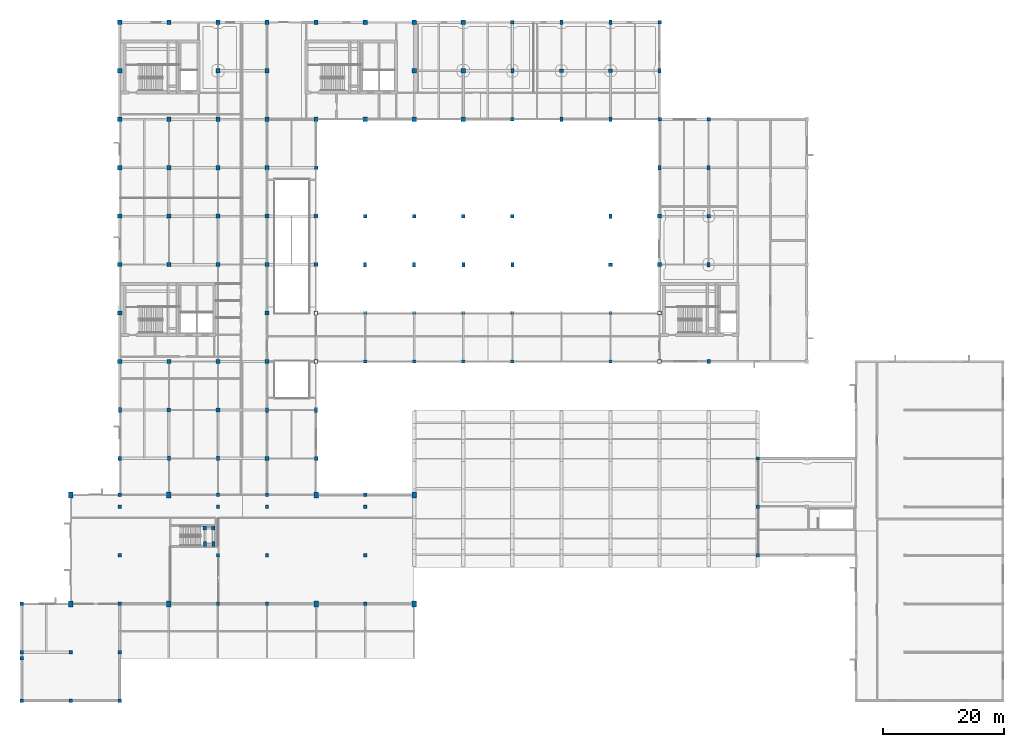
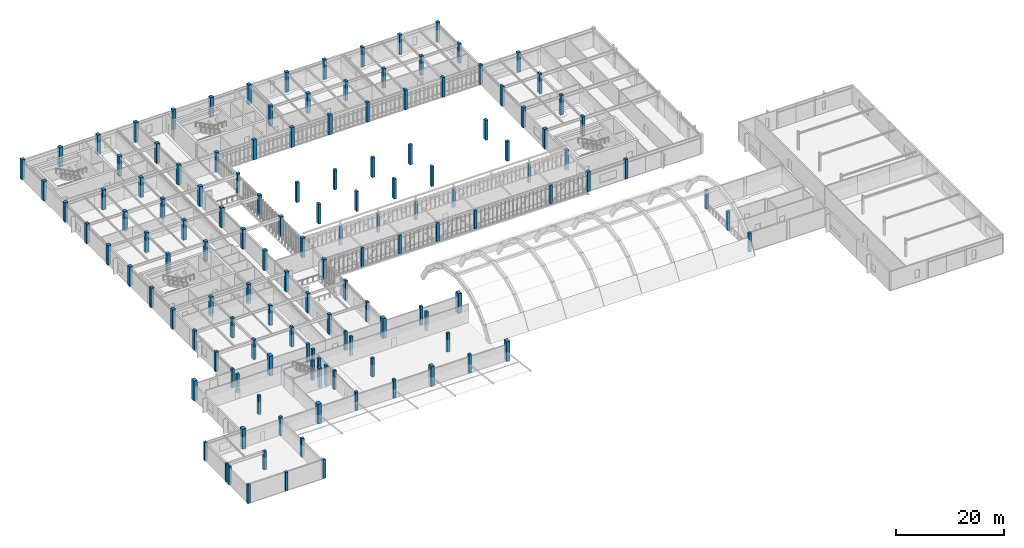
# One storey, part 1 of 67: 135 columns.
"""IFC4 building model written with IfcOpenShell, lengths in metres."""

from ifc_helpers import new_model, si_unit, direction, frame, origin, origin_with_axes, origin_2d, place, context, subcontext, project, spatial, rectangle, extrude, material, material_profile, profile_set, type_object, element, save


model = new_model("IFC4")

# Units and contexts
model_context = context("Model", 3, precision=1e-05, world=origin(), true_north=direction((0.0, 1.0)))
body_context = subcontext(model_context, "Body", "Model", "MODEL_VIEW")
ifc_project = project(units=[si_unit("LENGTHUNIT", "METRE"), si_unit("AREAUNIT", "SQUARE_METRE"), si_unit("VOLUMEUNIT", "CUBIC_METRE"), si_unit("PLANEANGLEUNIT", "RADIAN"), si_unit("MASSUNIT", "GRAM", prefix="KILO")], contexts=[model_context])

# Site, building, storey
site_placement = place(None, origin())
site = spatial("IfcSite", under=ifc_project, at=site_placement, CompositionType="ELEMENT")
building_placement = place(site_placement, origin())
building = spatial("IfcBuilding", under=site, at=building_placement, Name="Tarnveldt Square Police Headquarters", CompositionType="ELEMENT")
storey_placement = place(building_placement, frame((0.0, 0.0, 10.199951171875)))
storey = spatial("IfcBuildingStorey", under=building, at=storey_placement, Name="L02", CompositionType="ELEMENT", Elevation=10.199951171875)

# Columns
ifc_material_1 = material(Name="Concrete 40 MPa", Category="concrete")
ifc_material_profile_1 = material_profile(ifc_material_1, rectangle(XDim=0.5, YDim=0.75, at=origin_2d()), Name="RC-C500x750")
ifc_profile_set_1 = profile_set([ifc_material_profile_1], Name="Concrete 40 MPa")
column_type_1 = type_object("IfcColumnType", Name="COL-RC500x750", PredefinedType="COLUMN", material=ifc_profile_set_1)
for number, where, z_axis, x_axis, name in (
    (1, (16.199951171875, 48.0, 0.0), (0.0, 0.0, 1.0), (1.0, 0.0, 0.0), "L02 Column 019"),
    (2, (24.300048828125, 40.0, 0.0), (0.0, 0.0, 1.0), (1.0, 0.0, 0.0), "L02 Column 031"),
    (3, (30.25, 25.8798828125, 0.0), (0.0, 0.0, 1.0), (1.0, 0.0, 0.0), "L02 Column 039"),
    (4, (31.64990234375, 25.8798828125, 0.0), (0.0, 0.0, 1.0), (1.0, 0.0, 0.0), "L02 Column 041"),
    (5, (32.39990234375, 40.0, 0.0), (0.0, 0.0, 1.0), (1.0, 0.0, 0.0), "L02 Column 047"),
    (6, (40.5, 48.0, 0.0), (0.0, 0.0, 1.0), (1.0, 0.0, 0.0), "L02 Column 061"),
    (7, (48.60009765625, 48.0, 0.0), (0.0, 0.0, 1.0), (1.0, 0.0, 0.0), "L02 Column 073"),
    (8, (56.699951171875, 72.0, 0.0), (0.0, 0.0, 1.0), (1.0, 0.0, 0.0), "L02 Column 089"),
    (9, (64.800048828125, 72.0, 0.0), (0.0, 0.0, 1.0), (1.0, 0.0, 0.0), "L02 Column 101"),
    (10, (72.89990234375, 72.0, 0.0), (0.0, 0.0, 1.0), (1.0, 0.0, 0.0), "L02 Column 111"),
    (11, (81.0, 72.0, 0.0), (0.0, 0.0, 1.0), (1.0, 0.0, 0.0), "L02 Column 121"),
    (12, (81.0, 104.0, 0.0), (0.0, 0.0, 1.0), (1.0, 0.0, 0.0), "L02 Column 125"),
    (13, (89.10009765625, 96.0, 0.0), (0.0, 0.0, 1.0), (1.0, 0.0, 0.0), "L02 Column 129"),
    (14, (89.10009765625, 112.0, 0.0), (0.0, 0.0, 1.0), (1.0, 0.0, 0.0), "L02 Column 131"),
    (15, (97.199951171875, 80.0, 0.0), (0.0, 0.0, 1.0), (1.0, 0.0, 0.0), "L02 Column 137"),
    (16, (97.199951171875, 96.0, 0.0), (0.0, 0.0, 1.0), (1.0, 0.0, 0.0), "L02 Column 139"),
    (17, (97.199951171875, 112.0, 0.0), (0.0, 0.0, 1.0), (1.0, 0.0, 0.0), "L02 Column 141"),
    (18, (105.300048828125, 88.0, 0.0), (0.0, 0.0, 1.0), (1.0, 0.0, 0.0), "L02 Column 149"),
    (19, (105.300048828125, 104.0, 0.0), (0.0, 0.0, 1.0), (1.0, 0.0, 0.0), "L02 Column 151"),
    (20, (113.39990234375, 72.0, 0.0), (0.0, 0.0, 1.0), (1.0, 0.0, 0.0), "L02 Column 157"),
    (21, (113.39990234375, 88.0, 0.0), (0.0, 0.0, 1.0), (1.0, 0.0, 0.0), "L02 Column 159"),
):
    element("IfcColumn", number, at=place(storey_placement, frame(where, z_axis=z_axis, x_axis=x_axis)), inside=storey, type_object=column_type_1, Name=name, PredefinedType="COLUMN", context=body_context, shape_type="SweptSolid", body=[
        extrude(rectangle(XDim=0.5, YDim=0.75, at=origin_2d()), origin(), (0.0, 0.0, 1.0), 4.5),
    ])
ifc_material_profile_2 = material_profile(ifc_material_1, rectangle(XDim=0.550048828125, YDim=0.550048828125, at=origin_2d()), Name="RC-C550x550")
ifc_profile_set_2 = profile_set([ifc_material_profile_2], Name="Concrete 40 MPa")
column_type_2 = type_object("IfcColumnType", Name="COL-RC550", PredefinedType="COLUMN", material=ifc_profile_set_2)
column_1_placement = place(storey_placement, origin_with_axes())
element("IfcColumn", 22, at=column_1_placement, inside=storey, type_object=column_type_2, Name="L02 Column 001", PredefinedType="COLUMN", context=body_context, shape_type="SweptSolid", body=[
    extrude(rectangle(XDim=0.550048828125, YDim=0.550048828125, at=origin_2d()), origin(), (0.0, 0.0, 1.0), 4.239990234375),
])
for number, where, z_axis, x_axis, name in (
    (23, (0.0, 7.0, 0.0), (0.0, 0.0, 1.0), (1.0, 0.0, 0.0), "L02 Column 002"),
    (24, (0.0, 8.0, 0.0), (0.0, 0.0, 1.0), (1.0, 0.0, 0.0), "L02 Column 003"),
    (25, (0.0, 16.0, 0.0), (0.0, 0.0, 1.0), (1.0, 0.0, 0.0), "L02 Column 004"),
):
    element("IfcColumn", number, at=place(storey_placement, frame(where, z_axis=z_axis, x_axis=x_axis)), inside=storey, type_object=column_type_2, Name=name, PredefinedType="COLUMN", context=body_context, shape_type="SweptSolid", body=[
        extrude(rectangle(XDim=0.550048828125, YDim=0.550048828125, at=origin_2d()), origin(), (0.0, 0.0, 1.0), 4.16015625),
    ])
column_2_placement = place(storey_placement, frame((8.10009765625, 0.0, 0.0), z_axis=(0.0, 0.0, 1.0), x_axis=(1.0, 0.0, 0.0)))
element("IfcColumn", 26, at=column_2_placement, inside=storey, type_object=column_type_2, Name="L02 Column 008", PredefinedType="COLUMN", context=body_context, shape_type="SweptSolid", body=[
    extrude(rectangle(XDim=0.550048828125, YDim=0.550048828125, at=origin_2d()), origin(), (0.0, 0.0, 1.0), 4.239990234375),
])
column_3_placement = place(storey_placement, frame((8.10009765625, 8.0, 0.0), z_axis=(0.0, 0.0, 1.0), x_axis=(1.0, 0.0, 0.0)))
element("IfcColumn", 27, at=column_3_placement, inside=storey, type_object=column_type_2, Name="L02 Column 009", PredefinedType="COLUMN", context=body_context, shape_type="SweptSolid", body=[
    extrude(rectangle(XDim=0.550048828125, YDim=0.550048828125, at=origin_2d()), origin(), (0.0, 0.0, 1.0), 4.16015625),
])
for number, where, z_axis, x_axis, name in (
    (28, (16.199951171875, 0.0, 0.0), (0.0, 0.0, 1.0), (1.0, 0.0, 0.0), "L02 Column 012"),
    (29, (16.199951171875, 8.0, 0.0), (0.0, 0.0, 1.0), (1.0, 0.0, 0.0), "L02 Column 013"),
    (30, (16.199951171875, 16.0, 0.0), (0.0, 0.0, 1.0), (1.0, 0.0, 0.0), "L02 Column 014"),
    (31, (16.199951171875, 24.0, 0.0), (0.0, 0.0, 1.0), (1.0, 0.0, 0.0), "L02 Column 015"),
    (32, (16.199951171875, 32.0, 0.0), (0.0, 0.0, 1.0), (1.0, 0.0, 0.0), "L02 Column 016"),
    (33, (16.199951171875, 34.0, 0.0), (0.0, 0.0, 1.0), (1.0, 0.0, 0.0), "L02 Column 017"),
    (34, (32.39990234375, 16.0, 0.0), (0.0, 0.0, 1.0), (1.0, 0.0, 0.0), "L02 Column 043"),
    (35, (32.39990234375, 24.0, 0.0), (0.0, 0.0, 1.0), (1.0, 0.0, 0.0), "L02 Column 044"),
    (36, (32.39990234375, 32.0, 0.0), (0.0, 0.0, 1.0), (1.0, 0.0, 0.0), "L02 Column 045"),
    (37, (32.39990234375, 34.0, 0.0), (0.0, 0.0, 1.0), (1.0, 0.0, 0.0), "L02 Column 046"),
    (38, (40.5, 16.0, 0.0), (0.0, 0.0, 1.0), (1.0, 0.0, 0.0), "L02 Column 056"),
    (39, (40.5, 24.0, 0.0), (0.0, 0.0, 1.0), (1.0, 0.0, 0.0), "L02 Column 057"),
    (40, (40.5, 32.0, 0.0), (0.0, 0.0, 1.0), (1.0, 0.0, 0.0), "L02 Column 058"),
    (41, (40.5, 34.0, 0.0), (0.0, 0.0, 1.0), (1.0, 0.0, 0.0), "L02 Column 059"),
    (42, (56.699951171875, 16.0, 0.0), (0.0, 0.0, 1.0), (1.0, 0.0, 0.0), "L02 Column 081"),
    (43, (56.699951171875, 24.0, 0.0), (0.0, 0.0, 1.0), (1.0, 0.0, 0.0), "L02 Column 082"),
    (44, (56.699951171875, 32.0, 0.0), (0.0, 0.0, 1.0), (1.0, 0.0, 0.0), "L02 Column 083"),
    (45, (56.699951171875, 34.0, 0.0), (0.0, 0.0, 1.0), (1.0, 0.0, 0.0), "L02 Column 084"),
    (46, (56.699951171875, 56.0, 0.0), (0.0, 0.0, 1.0), (1.0, 0.0, 0.0), "L02 Column 087"),
    (47, (56.699951171875, 64.0, 0.0), (0.0, 0.0, 1.0), (1.0, 0.0, 0.0), "L02 Column 088"),
    (48, (64.800048828125, 56.0, 0.0), (0.0, 0.0, 1.0), (1.0, 0.0, 0.0), "L02 Column 099"),
    (49, (64.800048828125, 64.0, 0.0), (0.0, 0.0, 1.0), (1.0, 0.0, 0.0), "L02 Column 100"),
    (50, (72.89990234375, 56.0, 0.0), (0.0, 0.0, 1.0), (1.0, 0.0, 0.0), "L02 Column 109"),
    (51, (72.89990234375, 64.0, 0.0), (0.0, 0.0, 1.0), (1.0, 0.0, 0.0), "L02 Column 110"),
    (52, (81.0, 56.0, 0.0), (0.0, 0.0, 1.0), (1.0, 0.0, 0.0), "L02 Column 119"),
    (53, (81.0, 64.0, 0.0), (0.0, 0.0, 1.0), (1.0, 0.0, 0.0), "L02 Column 120"),
    (54, (97.199951171875, 56.0, 0.0), (0.0, 0.0, 1.0), (1.0, 0.0, 0.0), "L02 Column 134"),
    (55, (97.199951171875, 64.0, 0.0), (0.0, 0.0, 1.0), (1.0, 0.0, 0.0), "L02 Column 135"),
    (56, (121.5, 24.0, 0.0), (0.0, 0.0, 1.0), (1.0, 0.0, 0.0), "L02 Column 162"),
    (57, (121.5, 32.0, 0.0), (0.0, 0.0, 1.0), (1.0, 0.0, 0.0), "L02 Column 163"),
    (58, (121.5, 40.0, 0.0), (0.0, 0.0, 1.0), (1.0, 0.0, 0.0), "L02 Column 164"),
):
    element("IfcColumn", number, at=place(storey_placement, frame(where, z_axis=z_axis, x_axis=x_axis)), inside=storey, type_object=column_type_2, Name=name, PredefinedType="COLUMN", context=body_context, shape_type="SweptSolid", body=[
        extrude(rectangle(XDim=0.550048828125, YDim=0.550048828125, at=origin_2d()), origin(), (0.0, 0.0, 1.0), 4.239990234375),
    ])
ifc_material_profile_3 = material_profile(ifc_material_1, rectangle(XDim=0.60009765625, YDim=0.60009765625, at=origin_2d()), Name="RC-C600x600")
ifc_profile_set_3 = profile_set([ifc_material_profile_3], Name="Concrete 40 MPa")
column_type_3 = type_object("IfcColumnType", Name="COL-RC600", PredefinedType="COLUMN", material=ifc_profile_set_3)
for number, where, z_axis, x_axis, name in (
    (59, (16.199951171875, 40.0, 0.0), (0.0, 0.0, 1.0), (1.0, 0.0, 0.0), "L02 Column 018"),
    (60, (24.300048828125, 48.0, 0.0), (0.0, 0.0, 1.0), (1.0, 0.0, 0.0), "L02 Column 032"),
    (61, (30.25, 28.52001953125, 0.0), (0.0, 0.0, 1.0), (1.0, 0.0, 0.0), "L02 Column 040"),
    (62, (31.64990234375, 28.52001953125, 0.0), (0.0, 0.0, 1.0), (1.0, 0.0, 0.0), "L02 Column 042"),
    (63, (32.39990234375, 48.0, 0.0), (0.0, 0.0, 1.0), (1.0, 0.0, 0.0), "L02 Column 048"),
    (64, (40.5, 40.0, 0.0), (0.0, 0.0, 1.0), (1.0, 0.0, 0.0), "L02 Column 060"),
    (65, (48.60009765625, 40.0, 0.0), (0.0, 0.0, 1.0), (1.0, 0.0, 0.0), "L02 Column 072"),
    (66, (48.60009765625, 88.0, 0.0), (0.0, 0.0, 1.0), (1.0, 0.0, 0.0), "L02 Column 078"),
    (67, (56.699951171875, 80.0, 0.0), (0.0, 0.0, 1.0), (1.0, 0.0, 0.0), "L02 Column 090"),
    (68, (64.800048828125, 80.0, 0.0), (0.0, 0.0, 1.0), (1.0, 0.0, 0.0), "L02 Column 102"),
    (69, (72.89990234375, 80.0, 0.0), (0.0, 0.0, 1.0), (1.0, 0.0, 0.0), "L02 Column 112"),
    (70, (81.0, 80.0, 0.0), (0.0, 0.0, 1.0), (1.0, 0.0, 0.0), "L02 Column 122"),
    (71, (81.0, 96.0, 0.0), (0.0, 0.0, 1.0), (1.0, 0.0, 0.0), "L02 Column 124"),
    (72, (81.0, 112.0, 0.0), (0.0, 0.0, 1.0), (1.0, 0.0, 0.0), "L02 Column 126"),
    (73, (89.10009765625, 104.0, 0.0), (0.0, 0.0, 1.0), (1.0, 0.0, 0.0), "L02 Column 130"),
    (74, (97.199951171875, 72.0, 0.0), (0.0, 0.0, 1.0), (1.0, 0.0, 0.0), "L02 Column 136"),
    (75, (97.199951171875, 104.0, 0.0), (0.0, 0.0, 1.0), (1.0, 0.0, 0.0), "L02 Column 140"),
    (76, (105.300048828125, 96.0, 0.0), (0.0, 0.0, 1.0), (1.0, 0.0, 0.0), "L02 Column 150"),
    (77, (105.300048828125, 112.0, 0.0), (0.0, 0.0, 1.0), (1.0, 0.0, 0.0), "L02 Column 152"),
    (78, (113.39990234375, 56.0, 0.0), (0.0, 0.0, 1.0), (1.0, 0.0, 0.0), "L02 Column 156"),
    (79, (113.39990234375, 80.0, 0.0), (0.0, 0.0, 1.0), (1.0, 0.0, 0.0), "L02 Column 158"),
    (80, (113.39990234375, 96.0, 0.0), (0.0, 0.0, 1.0), (1.0, 0.0, 0.0), "L02 Column 160"),
):
    element("IfcColumn", number, at=place(storey_placement, frame(where, z_axis=z_axis, x_axis=x_axis)), inside=storey, type_object=column_type_3, Name=name, PredefinedType="COLUMN", context=body_context, shape_type="SweptSolid", body=[
        extrude(rectangle(XDim=0.60009765625, YDim=0.60009765625, at=origin_2d()), origin(), (0.0, 0.0, 1.0), 4.5),
    ])
ifc_material_2 = material(Name="Concrete 50 MPa", Category="concrete")
ifc_material_profile_4 = material_profile(ifc_material_2, rectangle(XDim=0.699951171875, YDim=0.699951171875, at=origin_2d()), Name="RC-C700x700")
ifc_profile_set_4 = profile_set([ifc_material_profile_4], Name="Concrete 50 MPa")
column_type_4 = type_object("IfcColumnType", Name="COL-RC700", PredefinedType="COLUMN", material=ifc_profile_set_4)
for number, where, z_axis, x_axis, name in (
    (81, (16.199951171875, 56.0, 0.0), (0.0, 0.0, 1.0), (1.0, 0.0, 0.0), "L02 Column 020"),
    (82, (16.199951171875, 64.0, 0.0), (0.0, 0.0, 1.0), (1.0, 0.0, 0.0), "L02 Column 021"),
    (83, (16.199951171875, 72.0, 0.0), (0.0, 0.0, 1.0), (1.0, 0.0, 0.0), "L02 Column 022"),
    (84, (16.199951171875, 80.0, 0.0), (0.0, 0.0, 1.0), (1.0, 0.0, 0.0), "L02 Column 023"),
    (85, (16.199951171875, 88.0, 0.0), (0.0, 0.0, 1.0), (1.0, 0.0, 0.0), "L02 Column 024"),
    (86, (16.199951171875, 96.0, 0.0), (0.0, 0.0, 1.0), (1.0, 0.0, 0.0), "L02 Column 025"),
    (87, (16.199951171875, 104.0, 0.0), (0.0, 0.0, 1.0), (1.0, 0.0, 0.0), "L02 Column 026"),
    (88, (16.199951171875, 112.0, 0.0), (0.0, 0.0, 1.0), (1.0, 0.0, 0.0), "L02 Column 027"),
    (89, (24.300048828125, 56.0, 0.0), (0.0, 0.0, 1.0), (1.0, 0.0, 0.0), "L02 Column 033"),
    (90, (24.300048828125, 72.0, 0.0), (0.0, 0.0, 1.0), (1.0, 0.0, 0.0), "L02 Column 034"),
    (91, (24.300048828125, 80.0, 0.0), (0.0, 0.0, 1.0), (1.0, 0.0, 0.0), "L02 Column 035"),
    (92, (24.300048828125, 88.0, 0.0), (0.0, 0.0, 1.0), (1.0, 0.0, 0.0), "L02 Column 036"),
    (93, (24.300048828125, 96.0, 0.0), (0.0, 0.0, 1.0), (1.0, 0.0, 0.0), "L02 Column 037"),
    (94, (24.300048828125, 112.0, 0.0), (0.0, 0.0, 1.0), (1.0, 0.0, 0.0), "L02 Column 038"),
    (95, (32.39990234375, 56.0, 0.0), (0.0, 0.0, 1.0), (1.0, 0.0, 0.0), "L02 Column 049"),
    (96, (32.39990234375, 72.0, 0.0), (0.0, 0.0, 1.0), (1.0, 0.0, 0.0), "L02 Column 050"),
    (97, (32.39990234375, 80.0, 0.0), (0.0, 0.0, 1.0), (1.0, 0.0, 0.0), "L02 Column 051"),
    (98, (32.39990234375, 88.0, 0.0), (0.0, 0.0, 1.0), (1.0, 0.0, 0.0), "L02 Column 052"),
    (99, (32.39990234375, 96.0, 0.0), (0.0, 0.0, 1.0), (1.0, 0.0, 0.0), "L02 Column 053"),
    (100, (32.39990234375, 104.0, 0.0), (0.0, 0.0, 1.0), (1.0, 0.0, 0.0), "L02 Column 054"),
    (101, (32.39990234375, 112.0, 0.0), (0.0, 0.0, 1.0), (1.0, 0.0, 0.0), "L02 Column 055"),
    (102, (40.5, 56.0, 0.0), (0.0, 0.0, 1.0), (1.0, 0.0, 0.0), "L02 Column 062"),
    (103, (40.5, 64.0, 0.0), (0.0, 0.0, 1.0), (1.0, 0.0, 0.0), "L02 Column 063"),
    (104, (40.5, 72.0, 0.0), (0.0, 0.0, 1.0), (1.0, 0.0, 0.0), "L02 Column 064"),
    (105, (40.5, 80.0, 0.0), (0.0, 0.0, 1.0), (1.0, 0.0, 0.0), "L02 Column 065"),
    (106, (40.5, 88.0, 0.0), (0.0, 0.0, 1.0), (1.0, 0.0, 0.0), "L02 Column 066"),
    (107, (40.5, 96.0, 0.0), (0.0, 0.0, 1.0), (1.0, 0.0, 0.0), "L02 Column 067"),
    (108, (40.5, 104.0, 0.0), (0.0, 0.0, 1.0), (1.0, 0.0, 0.0), "L02 Column 068"),
    (109, (40.5, 112.0, 0.0), (0.0, 0.0, 1.0), (1.0, 0.0, 0.0), "L02 Column 069"),
    (110, (48.60009765625, 56.0, 0.0), (0.0, 0.0, 1.0), (1.0, 0.0, 0.0), "L02 Column 074"),
    (111, (48.60009765625, 64.0, 0.0), (0.0, 0.0, 1.0), (1.0, 0.0, 0.0), "L02 Column 075"),
    (112, (48.60009765625, 72.0, 0.0), (0.0, 0.0, 1.0), (1.0, 0.0, 0.0), "L02 Column 076"),
    (113, (48.60009765625, 80.0, 0.0), (0.0, 0.0, 1.0), (1.0, 0.0, 0.0), "L02 Column 077"),
    (114, (48.60009765625, 96.0, 0.0), (0.0, 0.0, 1.0), (1.0, 0.0, 0.0), "L02 Column 079"),
    (115, (48.60009765625, 112.0, 0.0), (0.0, 0.0, 1.0), (1.0, 0.0, 0.0), "L02 Column 080"),
    (116, (56.699951171875, 96.0, 0.0), (0.0, 0.0, 1.0), (1.0, 0.0, 0.0), "L02 Column 092"),
    (117, (56.699951171875, 112.0, 0.0), (0.0, 0.0, 1.0), (1.0, 0.0, 0.0), "L02 Column 093"),
    (118, (64.800048828125, 96.0, 0.0), (0.0, 0.0, 1.0), (1.0, 0.0, 0.0), "L02 Column 104"),
    (119, (64.800048828125, 104.0, 0.0), (0.0, 0.0, 1.0), (1.0, 0.0, 0.0), "L02 Column 105"),
    (120, (64.800048828125, 112.0, 0.0), (0.0, 0.0, 1.0), (1.0, 0.0, 0.0), "L02 Column 106"),
    (121, (72.89990234375, 96.0, 0.0), (0.0, 0.0, 1.0), (1.0, 0.0, 0.0), "L02 Column 114"),
    (122, (72.89990234375, 104.0, 0.0), (0.0, 0.0, 1.0), (1.0, 0.0, 0.0), "L02 Column 115"),
    (123, (72.89990234375, 112.0, 0.0), (0.0, 0.0, 1.0), (1.0, 0.0, 0.0), "L02 Column 116"),
    (124, (105.300048828125, 56.0, 0.0), (0.0, 0.0, 1.0), (1.0, 0.0, 0.0), "L02 Column 145"),
    (125, (105.300048828125, 64.0, 0.0), (0.0, 0.0, 1.0), (1.0, 0.0, 0.0), "L02 Column 146"),
    (126, (105.300048828125, 72.0, 0.0), (0.0, 0.0, 1.0), (1.0, 0.0, 0.0), "L02 Column 147"),
    (127, (105.300048828125, 80.0, 0.0), (0.0, 0.0, 1.0), (1.0, 0.0, 0.0), "L02 Column 148"),
):
    element("IfcColumn", number, at=place(storey_placement, frame(where, z_axis=z_axis, x_axis=x_axis)), inside=storey, type_object=column_type_4, Name=name, PredefinedType="COLUMN", context=body_context, shape_type="SweptSolid", body=[
        extrude(rectangle(XDim=0.699951171875, YDim=0.699951171875, at=origin_2d()), origin(), (0.0, 0.0, 1.0), 4.5),
    ])
ifc_material_profile_5 = material_profile(ifc_material_2, rectangle(XDim=0.75, YDim=1.0, at=origin_2d()), Name="RC-C750x1000")
ifc_profile_set_5 = profile_set([ifc_material_profile_5], Name="Concrete 50 MPa")
column_type_5 = type_object("IfcColumnType", Name="COL-RC750x1000", PredefinedType="COLUMN", material=ifc_profile_set_5)
for number, where, z_axis, x_axis, name in (
    (128, (8.10009765625, 16.0, 0.0), (0.0, 0.0, 1.0), (1.0, 0.0, 0.0), "L02 Column 010"),
    (129, (8.10009765625, 34.0, 0.0), (0.0, 0.0, 1.0), (1.0, 0.0, 0.0), "L02 Column 011"),
    (130, (24.300048828125, 16.0, 0.0), (0.0, 0.0, 1.0), (1.0, 0.0, 0.0), "L02 Column 029"),
    (131, (24.300048828125, 34.0, 0.0), (0.0, 0.0, 1.0), (1.0, 0.0, 0.0), "L02 Column 030"),
    (132, (48.60009765625, 16.0, 0.0), (0.0, 0.0, 1.0), (1.0, 0.0, 0.0), "L02 Column 070"),
    (133, (48.60009765625, 34.0, 0.0), (0.0, 0.0, 1.0), (1.0, 0.0, 0.0), "L02 Column 071"),
    (134, (64.800048828125, 16.0, 0.0), (0.0, 0.0, 1.0), (1.0, 0.0, 0.0), "L02 Column 095"),
    (135, (64.800048828125, 34.0, 0.0), (0.0, 0.0, 1.0), (1.0, 0.0, 0.0), "L02 Column 096"),
):
    element("IfcColumn", number, at=place(storey_placement, frame(where, z_axis=z_axis, x_axis=x_axis)), inside=storey, type_object=column_type_5, Name=name, PredefinedType="COLUMN", context=body_context, shape_type="SweptSolid", body=[
        extrude(rectangle(XDim=0.75, YDim=1.0, at=origin_2d()), origin(), (0.0, 0.0, 1.0), 4.5),
    ])

save(model, "model.ifc")
